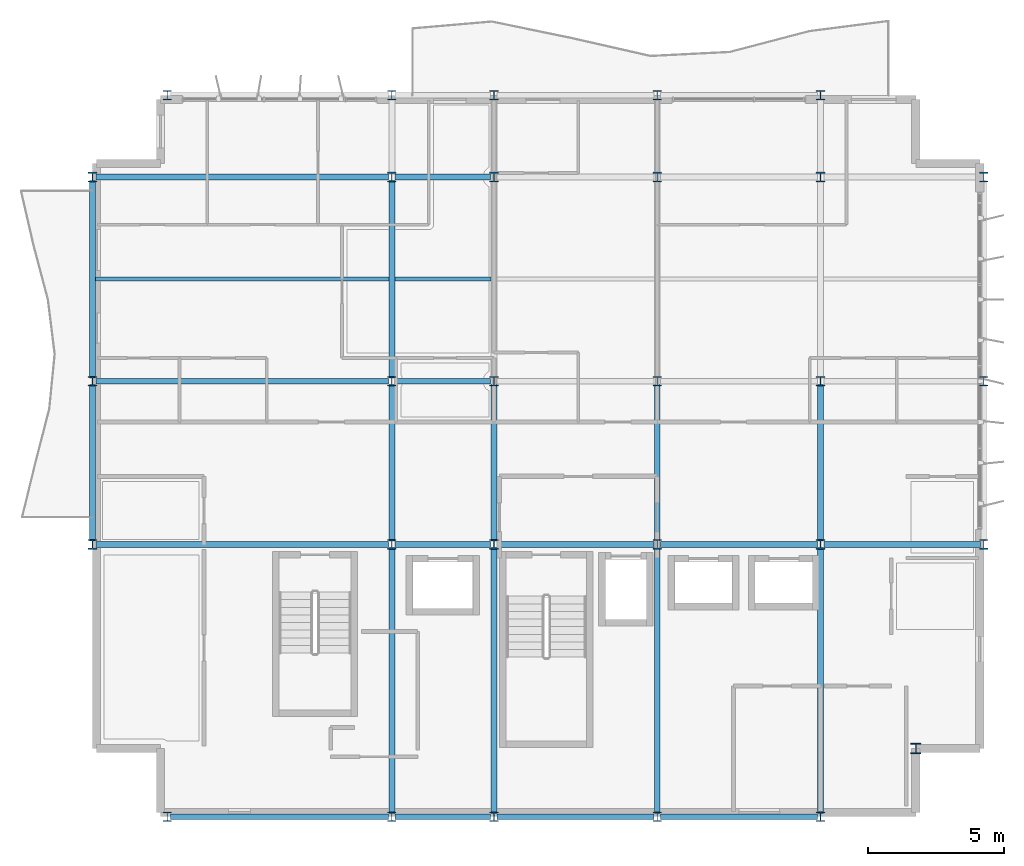
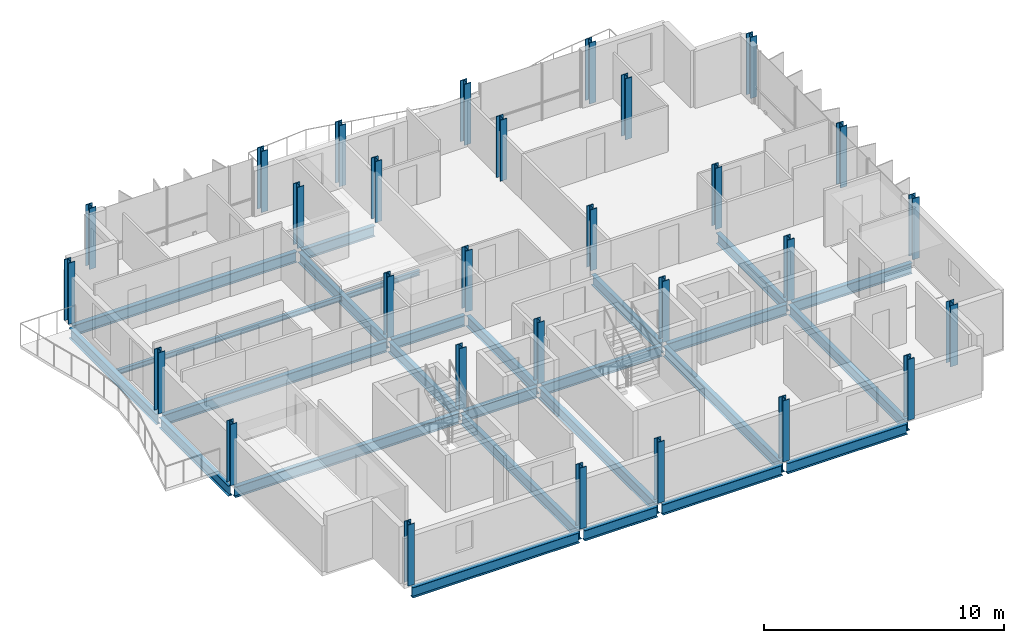
# One storey, part 1 of 13: 29 columns, 26 beams.
"""IFC4 building model written with IfcOpenShell, lengths in metres."""

from ifc_helpers import new_model, si_unit, direction, frame, origin, origin_2d, place, context, subcontext, project, spatial, i_section, extrude, material, material_profile, profile_set, type_object, element, save


model = new_model("IFC4")

# Units and contexts
model_context = context("Model", 3, precision=1e-05, world=origin(), true_north=direction((0.0, 1.0)))
body_context = subcontext(model_context, "Body", "Model", "MODEL_VIEW")
ifc_project = project(units=[si_unit("LENGTHUNIT", "METRE"), si_unit("AREAUNIT", "SQUARE_METRE"), si_unit("VOLUMEUNIT", "CUBIC_METRE"), si_unit("PLANEANGLEUNIT", "RADIAN"), si_unit("MASSUNIT", "GRAM", prefix="KILO")], contexts=[model_context])

# Site, building, storey
site_placement = place(None, origin())
site = spatial("IfcSite", under=ifc_project, at=site_placement, CompositionType="ELEMENT")
building_placement = place(site_placement, origin())
building = spatial("IfcBuilding", under=site, at=building_placement, Name="Brevholm Reach", CompositionType="ELEMENT")
storey_placement = place(building_placement, frame((0.0, 0.0, 224.199951171875)))
storey = spatial("IfcBuildingStorey", under=building, at=storey_placement, Name="L68", CompositionType="ELEMENT", Elevation=224.199951171875)

# Columns
ifc_material_1 = material(Name="Structural Steel S355J2", Category="steel")
ifc_material_profile_1 = material_profile(ifc_material_1, i_section(OverallWidth=0.374755859375, OverallDepth=0.37451171875, WebThickness=0.0166015625, FlangeThickness=0.027099609375, FilletRadius=0.01513671875, at=origin_2d()), Name="UKC 356x368x202")
ifc_profile_set_1 = profile_set([ifc_material_profile_1], Name="Structural Steel S355J2")
column_type_1 = type_object("IfcColumnType", Name="COL-UC6", PredefinedType="COLUMN", material=ifc_profile_set_1)
column_placement = place(storey_placement, frame((57.5, 2.5, 0.0), z_axis=(0.0, 0.0, 1.0), x_axis=(1.0, 0.0, 0.0)))
element("IfcColumn", 1, at=column_placement, inside=storey, type_object=column_type_1, Name="L68 Column 26", PredefinedType="COLUMN", context=body_context, shape_type="SweptSolid", body=[
    extrude(i_section(OverallWidth=0.374755859375, OverallDepth=0.37451171875, WebThickness=0.0166015625, FlangeThickness=0.027099609375, FilletRadius=0.01513671875, at=origin_2d()), origin(), (0.0, 0.0, 1.0), 3.10009765625),
])
ifc_material_2 = material(Name="Structural Steel S355J2", Category="steel")
ifc_material_profile_2 = material_profile(ifc_material_2, i_section(OverallWidth=0.318359375, OverallDepth=0.3525390625, WebThickness=0.02294921875, FlangeThickness=0.03759765625, FilletRadius=0.01513671875, at=origin_2d()), Name="UKC 305x305x240")
ifc_profile_set_2 = profile_set([ifc_material_profile_2], Name="Structural Steel S355J2")
column_type_2 = type_object("IfcColumnType", Name="COL-UC6B", PredefinedType="COLUMN", material=ifc_profile_set_2)
for number, where, z_axis, x_axis, name in (
    (2, (27.25, 10.0, 0.0), (0.0, 0.0, 1.0), (1.0, 0.0, 0.0), "L68 Column 01"),
    (3, (27.25, 16.0, 0.0), (0.0, 0.0, 1.0), (1.0, 0.0, 0.0), "L68 Column 02"),
    (4, (27.25, 23.5, 0.0), (0.0, 0.0, 1.0), (1.0, 0.0, 0.0), "L68 Column 03"),
    (5, (30.0, 0.0, 0.0), (0.0, 0.0, 1.0), (1.0, 0.0, 0.0), "L68 Column 04"),
    (6, (30.0, 26.5, 0.0), (0.0, 0.0, 1.0), (1.0, 0.0, 0.0), "L68 Column 05"),
    (7, (38.25, 0.0, 0.0), (0.0, 0.0, 1.0), (1.0, 0.0, 0.0), "L68 Column 06"),
    (8, (38.25, 10.0, 0.0), (0.0, 0.0, 1.0), (1.0, 0.0, 0.0), "L68 Column 07"),
    (9, (38.25, 16.0, 0.0), (0.0, 0.0, 1.0), (1.0, 0.0, 0.0), "L68 Column 08"),
    (10, (38.25, 23.5, 0.0), (0.0, 0.0, 1.0), (1.0, 0.0, 0.0), "L68 Column 09"),
    (11, (38.25, 26.5, 0.0), (0.0, 0.0, 1.0), (1.0, 0.0, 0.0), "L68 Column 10"),
    (12, (42.0, 0.0, 0.0), (0.0, 0.0, 1.0), (1.0, 0.0, 0.0), "L68 Column 11"),
    (13, (42.0, 10.0, 0.0), (0.0, 0.0, 1.0), (1.0, 0.0, 0.0), "L68 Column 12"),
    (14, (42.0, 16.0, 0.0), (0.0, 0.0, 1.0), (1.0, 0.0, 0.0), "L68 Column 13"),
    (15, (42.0, 23.5, 0.0), (0.0, 0.0, 1.0), (1.0, 0.0, 0.0), "L68 Column 14"),
    (16, (42.0, 26.5, 0.0), (0.0, 0.0, 1.0), (1.0, 0.0, 0.0), "L68 Column 15"),
    (17, (48.0, 0.0, 0.0), (0.0, 0.0, 1.0), (1.0, 0.0, 0.0), "L68 Column 16"),
    (18, (48.0, 10.0, 0.0), (0.0, 0.0, 1.0), (1.0, 0.0, 0.0), "L68 Column 17"),
    (19, (48.0, 16.0, 0.0), (0.0, 0.0, 1.0), (1.0, 0.0, 0.0), "L68 Column 18"),
    (20, (48.0, 23.5, 0.0), (0.0, 0.0, 1.0), (1.0, 0.0, 0.0), "L68 Column 19"),
    (21, (48.0, 26.5, 0.0), (0.0, 0.0, 1.0), (1.0, 0.0, 0.0), "L68 Column 20"),
    (22, (54.0, 0.0, 0.0), (0.0, 0.0, 1.0), (1.0, 0.0, 0.0), "L68 Column 21"),
    (23, (54.0, 10.0, 0.0), (0.0, 0.0, 1.0), (1.0, 0.0, 0.0), "L68 Column 22"),
    (24, (54.0, 16.0, 0.0), (0.0, 0.0, 1.0), (1.0, 0.0, 0.0), "L68 Column 23"),
    (25, (54.0, 23.5, 0.0), (0.0, 0.0, 1.0), (1.0, 0.0, 0.0), "L68 Column 24"),
    (26, (54.0, 26.5, 0.0), (0.0, 0.0, 1.0), (1.0, 0.0, 0.0), "L68 Column 25"),
    (27, (60.0, 10.0, 0.0), (0.0, 0.0, 1.0), (1.0, 0.0, 0.0), "L68 Column 27"),
    (28, (60.0, 16.0, 0.0), (0.0, 0.0, 1.0), (1.0, 0.0, 0.0), "L68 Column 28"),
    (29, (60.0, 23.5, 0.0), (0.0, 0.0, 1.0), (1.0, 0.0, 0.0), "L68 Column 29"),
):
    element("IfcColumn", number, at=place(storey_placement, frame(where, z_axis=z_axis, x_axis=x_axis)), inside=storey, type_object=column_type_2, Name=name, PredefinedType="COLUMN", context=body_context, shape_type="SweptSolid", body=[
        extrude(i_section(OverallWidth=0.318359375, OverallDepth=0.3525390625, WebThickness=0.02294921875, FlangeThickness=0.03759765625, FilletRadius=0.01513671875, at=origin_2d()), origin(), (0.0, 0.0, 1.0), 3.10009765625),
    ])

# Beams
ifc_material_3 = material(Name="Structural Steel S355J2", Category="steel")
ifc_material_profile_3 = material_profile(ifc_material_3, i_section(OverallWidth=0.14599609375, OverallDepth=0.25146484375, WebThickness=0.006103515625, FlangeThickness=0.008544921875, FilletRadius=0.007568359375, at=origin_2d()), Name="UKB 254x146x31")
ifc_profile_set_3 = profile_set([ifc_material_profile_3], Name="Structural Steel S355J2")
beam_type_1 = type_object("IfcBeamType", Name="BM-B254", PredefinedType="BEAM", material=ifc_profile_set_3)
beam_1_placement = place(storey_placement, frame((27.354736328125, 19.75, -0.335693359375), z_axis=(1.0, 0.0, 0.0), x_axis=(0.0, 1.0, 0.0)))
element("IfcBeam", 30, at=beam_1_placement, inside=storey, type_object=beam_type_1, Name="L68 Composite Secondary Floor Beam", PredefinedType="BEAM", context=body_context, shape_type="SweptSolid", body=[
    extrude(i_section(OverallWidth=0.14599609375, OverallDepth=0.25146484375, WebThickness=0.006103515625, FlangeThickness=0.008544921875, FilletRadius=0.007568359375, at=origin_2d()), origin(), (0.0, 0.0, 1.0), 10.789794921875),
])
beam_2_placement = place(storey_placement, frame((38.35546875, 19.75, -0.335693359375), z_axis=(1.0, 0.0, 0.0), x_axis=(0.0, 1.0, 0.0)))
element("IfcBeam", 31, at=beam_2_placement, inside=storey, type_object=beam_type_1, Name="L68 Composite Secondary Floor Beam", PredefinedType="BEAM", context=body_context, shape_type="SweptSolid", body=[
    extrude(i_section(OverallWidth=0.14599609375, OverallDepth=0.25146484375, WebThickness=0.006103515625, FlangeThickness=0.008544921875, FilletRadius=0.007568359375, at=origin_2d()), origin(), (0.0, 0.0, 1.0), 3.5390625),
])
ifc_material_4 = material(Name="Structural Steel S355J2", Category="steel")
ifc_material_profile_4 = material_profile(ifc_material_4, i_section(OverallWidth=0.209228515625, OverallDepth=0.533203125, WebThickness=0.010009765625, FlangeThickness=0.015625, FilletRadius=0.0126953125, at=origin_2d()), Name="UKB 533x210x92")
ifc_profile_set_4 = profile_set([ifc_material_profile_4], Name="Structural Steel S355J2")
beam_type_2 = type_object("IfcBeamType", Name="BM-SP533", PredefinedType="SPANDREL", material=ifc_profile_set_4)
beam_3_placement = place(storey_placement, frame((30.1201171875, 0.0, -0.4765625), z_axis=(1.0, 0.0, 0.0), x_axis=(0.0, 1.0, 0.0)))
element("IfcBeam", 32, at=beam_3_placement, inside=storey, type_object=beam_type_2, Name="L68 SP-02 Framing Beam", PredefinedType="SPANDREL", context=body_context, shape_type="SweptSolid", body=[
    extrude(i_section(OverallWidth=0.209228515625, OverallDepth=0.533203125, WebThickness=0.010009765625, FlangeThickness=0.015625, FilletRadius=0.0126953125, at=origin_2d()), origin(), (0.0, 0.0, 1.0), 8.009765625),
])
beam_4_placement = place(storey_placement, frame((38.3701171875, 0.0, -0.4765625), z_axis=(1.0, 0.0, 0.0), x_axis=(0.0, 1.0, 0.0)))
element("IfcBeam", 33, at=beam_4_placement, inside=storey, type_object=beam_type_2, Name="L68 SP-02 Framing Beam", PredefinedType="SPANDREL", context=body_context, shape_type="SweptSolid", body=[
    extrude(i_section(OverallWidth=0.209228515625, OverallDepth=0.533203125, WebThickness=0.010009765625, FlangeThickness=0.015625, FilletRadius=0.0126953125, at=origin_2d()), origin(), (0.0, 0.0, 1.0), 3.509765625),
])
for number, where, z_axis, x_axis, name in (
    (34, (42.1201171875, 0.0, -0.4765625), (1.0, 0.0, 0.0), (0.0, 1.0, 0.0), "L68 SP-02 Framing Beam"),
    (35, (48.1201171875, 0.0, -0.4765625), (1.0, 0.0, 0.0), (0.0, 1.0, 0.0), "L68 SP-02 Framing Beam"),
    (36, (27.25, 10.1201171875, -0.4765625), (0.0, 1.0, 0.0), (-1.0, 0.0, 0.0), "L68 SP-02 Framing Beam"),
):
    element("IfcBeam", number, at=place(storey_placement, frame(where, z_axis=z_axis, x_axis=x_axis)), inside=storey, type_object=beam_type_2, Name=name, PredefinedType="SPANDREL", context=body_context, shape_type="SweptSolid", body=[
        extrude(i_section(OverallWidth=0.209228515625, OverallDepth=0.533203125, WebThickness=0.010009765625, FlangeThickness=0.015625, FilletRadius=0.0126953125, at=origin_2d()), origin(), (0.0, 0.0, 1.0), 5.759765625),
    ])
beam_5_placement = place(storey_placement, frame((27.25, 16.1201171875, -0.4765625), z_axis=(0.0, 1.0, 0.0), x_axis=(-1.0, 0.0, 0.0)))
element("IfcBeam", 37, at=beam_5_placement, inside=storey, type_object=beam_type_2, Name="L68 SP-02 Framing Beam", PredefinedType="SPANDREL", context=body_context, shape_type="SweptSolid", body=[
    extrude(i_section(OverallWidth=0.209228515625, OverallDepth=0.533203125, WebThickness=0.010009765625, FlangeThickness=0.015625, FilletRadius=0.0126953125, at=origin_2d()), origin(), (0.0, 0.0, 1.0), 7.259765625),
])
ifc_material_5 = material(Name="Structural Steel S355J2", Category="steel")
ifc_material_profile_5 = material_profile(ifc_material_5, i_section(OverallWidth=0.210693359375, OverallDepth=0.53955078125, WebThickness=0.01171875, FlangeThickness=0.018798828125, FilletRadius=0.0126953125, at=origin_2d()), Name="UKB 533x210x109")
ifc_profile_set_5 = profile_set([ifc_material_profile_5], Name="Structural Steel S355J2")
beam_type_3 = type_object("IfcBeamType", Name="BM-SP539", PredefinedType="SPANDREL", material=ifc_profile_set_5)
beam_6_placement = place(storey_placement, frame((27.3701171875, 10.0, -0.479736328125), z_axis=(1.0, 0.0, 0.0), x_axis=(0.0, 1.0, 0.0)))
element("IfcBeam", 38, at=beam_6_placement, inside=storey, type_object=beam_type_3, Name="L68 SP-01B Framing Beam", PredefinedType="SPANDREL", context=body_context, shape_type="SweptSolid", body=[
    extrude(i_section(OverallWidth=0.210693359375, OverallDepth=0.53955078125, WebThickness=0.01171875, FlangeThickness=0.018798828125, FilletRadius=0.0126953125, at=origin_2d()), origin(), (0.0, 0.0, 1.0), 10.759765625),
])
beam_7_placement = place(storey_placement, frame((38.3701171875, 10.0, -0.479736328125), z_axis=(1.0, 0.0, 0.0), x_axis=(0.0, 1.0, 0.0)))
element("IfcBeam", 39, at=beam_7_placement, inside=storey, type_object=beam_type_3, Name="L68 SP-01B Framing Beam", PredefinedType="SPANDREL", context=body_context, shape_type="SweptSolid", body=[
    extrude(i_section(OverallWidth=0.210693359375, OverallDepth=0.53955078125, WebThickness=0.01171875, FlangeThickness=0.018798828125, FilletRadius=0.0126953125, at=origin_2d()), origin(), (0.0, 0.0, 1.0), 3.509765625),
])
for number, where, z_axis, x_axis, name in (
    (40, (42.1201171875, 10.0, -0.479736328125), (1.0, 0.0, 0.0), (0.0, 1.0, 0.0), "L68 SP-01B Framing Beam"),
    (41, (48.1201171875, 10.0, -0.479736328125), (1.0, 0.0, 0.0), (0.0, 1.0, 0.0), "L68 SP-01B Framing Beam"),
    (42, (54.1201171875, 10.0, -0.479736328125), (1.0, 0.0, 0.0), (0.0, 1.0, 0.0), "L68 SP-01B Framing Beam"),
):
    element("IfcBeam", number, at=place(storey_placement, frame(where, z_axis=z_axis, x_axis=x_axis)), inside=storey, type_object=beam_type_3, Name=name, PredefinedType="SPANDREL", context=body_context, shape_type="SweptSolid", body=[
        extrude(i_section(OverallWidth=0.210693359375, OverallDepth=0.53955078125, WebThickness=0.01171875, FlangeThickness=0.018798828125, FilletRadius=0.0126953125, at=origin_2d()), origin(), (0.0, 0.0, 1.0), 5.759765625),
    ])
beam_8_placement = place(storey_placement, frame((27.3701171875, 16.0, -0.479736328125), z_axis=(1.0, 0.0, 0.0), x_axis=(0.0, 1.0, 0.0)))
element("IfcBeam", 43, at=beam_8_placement, inside=storey, type_object=beam_type_3, Name="L68 SP-01B Framing Beam", PredefinedType="SPANDREL", context=body_context, shape_type="SweptSolid", body=[
    extrude(i_section(OverallWidth=0.210693359375, OverallDepth=0.53955078125, WebThickness=0.01171875, FlangeThickness=0.018798828125, FilletRadius=0.0126953125, at=origin_2d()), origin(), (0.0, 0.0, 1.0), 10.759765625),
])
beam_9_placement = place(storey_placement, frame((38.3701171875, 16.0, -0.479736328125), z_axis=(1.0, 0.0, 0.0), x_axis=(0.0, 1.0, 0.0)))
element("IfcBeam", 44, at=beam_9_placement, inside=storey, type_object=beam_type_3, Name="L68 SP-01B Framing Beam", PredefinedType="SPANDREL", context=body_context, shape_type="SweptSolid", body=[
    extrude(i_section(OverallWidth=0.210693359375, OverallDepth=0.53955078125, WebThickness=0.01171875, FlangeThickness=0.018798828125, FilletRadius=0.0126953125, at=origin_2d()), origin(), (0.0, 0.0, 1.0), 3.509765625),
])
beam_10_placement = place(storey_placement, frame((27.3701171875, 23.5, -0.479736328125), z_axis=(1.0, 0.0, 0.0), x_axis=(0.0, 1.0, 0.0)))
element("IfcBeam", 45, at=beam_10_placement, inside=storey, type_object=beam_type_3, Name="L68 SP-01B Framing Beam", PredefinedType="SPANDREL", context=body_context, shape_type="SweptSolid", body=[
    extrude(i_section(OverallWidth=0.210693359375, OverallDepth=0.53955078125, WebThickness=0.01171875, FlangeThickness=0.018798828125, FilletRadius=0.0126953125, at=origin_2d()), origin(), (0.0, 0.0, 1.0), 10.759765625),
])
beam_11_placement = place(storey_placement, frame((38.3701171875, 23.5, -0.479736328125), z_axis=(1.0, 0.0, 0.0), x_axis=(0.0, 1.0, 0.0)))
element("IfcBeam", 46, at=beam_11_placement, inside=storey, type_object=beam_type_3, Name="L68 SP-01B Framing Beam", PredefinedType="SPANDREL", context=body_context, shape_type="SweptSolid", body=[
    extrude(i_section(OverallWidth=0.210693359375, OverallDepth=0.53955078125, WebThickness=0.01171875, FlangeThickness=0.018798828125, FilletRadius=0.0126953125, at=origin_2d()), origin(), (0.0, 0.0, 1.0), 3.509765625),
])
beam_12_placement = place(storey_placement, frame((38.25, 0.1201171875, -0.479736328125), z_axis=(0.0, 1.0, 0.0), x_axis=(-1.0, 0.0, 0.0)))
element("IfcBeam", 47, at=beam_12_placement, inside=storey, type_object=beam_type_3, Name="L68 SP-01B Framing Beam", PredefinedType="SPANDREL", context=body_context, shape_type="SweptSolid", body=[
    extrude(i_section(OverallWidth=0.210693359375, OverallDepth=0.53955078125, WebThickness=0.01171875, FlangeThickness=0.018798828125, FilletRadius=0.0126953125, at=origin_2d()), origin(), (0.0, 0.0, 1.0), 9.759765625),
])
beam_13_placement = place(storey_placement, frame((38.25, 10.1201171875, -0.479736328125), z_axis=(0.0, 1.0, 0.0), x_axis=(-1.0, 0.0, 0.0)))
element("IfcBeam", 48, at=beam_13_placement, inside=storey, type_object=beam_type_3, Name="L68 SP-01B Framing Beam", PredefinedType="SPANDREL", context=body_context, shape_type="SweptSolid", body=[
    extrude(i_section(OverallWidth=0.210693359375, OverallDepth=0.53955078125, WebThickness=0.01171875, FlangeThickness=0.018798828125, FilletRadius=0.0126953125, at=origin_2d()), origin(), (0.0, 0.0, 1.0), 5.759765625),
])
beam_14_placement = place(storey_placement, frame((38.25, 16.1201171875, -0.479736328125), z_axis=(0.0, 1.0, 0.0), x_axis=(-1.0, 0.0, 0.0)))
element("IfcBeam", 49, at=beam_14_placement, inside=storey, type_object=beam_type_3, Name="L68 SP-01B Framing Beam", PredefinedType="SPANDREL", context=body_context, shape_type="SweptSolid", body=[
    extrude(i_section(OverallWidth=0.210693359375, OverallDepth=0.53955078125, WebThickness=0.01171875, FlangeThickness=0.018798828125, FilletRadius=0.0126953125, at=origin_2d()), origin(), (0.0, 0.0, 1.0), 7.259765625),
])
beam_15_placement = place(storey_placement, frame((42.0, 0.1201171875, -0.479736328125), z_axis=(0.0, 1.0, 0.0), x_axis=(-1.0, 0.0, 0.0)))
element("IfcBeam", 50, at=beam_15_placement, inside=storey, type_object=beam_type_3, Name="L68 SP-01B Framing Beam", PredefinedType="SPANDREL", context=body_context, shape_type="SweptSolid", body=[
    extrude(i_section(OverallWidth=0.210693359375, OverallDepth=0.53955078125, WebThickness=0.01171875, FlangeThickness=0.018798828125, FilletRadius=0.0126953125, at=origin_2d()), origin(), (0.0, 0.0, 1.0), 9.759765625),
])
beam_16_placement = place(storey_placement, frame((42.0, 10.1201171875, -0.479736328125), z_axis=(0.0, 1.0, 0.0), x_axis=(-1.0, 0.0, 0.0)))
element("IfcBeam", 51, at=beam_16_placement, inside=storey, type_object=beam_type_3, Name="L68 SP-01B Framing Beam", PredefinedType="SPANDREL", context=body_context, shape_type="SweptSolid", body=[
    extrude(i_section(OverallWidth=0.210693359375, OverallDepth=0.53955078125, WebThickness=0.01171875, FlangeThickness=0.018798828125, FilletRadius=0.0126953125, at=origin_2d()), origin(), (0.0, 0.0, 1.0), 5.759765625),
])
beam_17_placement = place(storey_placement, frame((48.0, 0.1201171875, -0.479736328125), z_axis=(0.0, 1.0, 0.0), x_axis=(-1.0, 0.0, 0.0)))
element("IfcBeam", 52, at=beam_17_placement, inside=storey, type_object=beam_type_3, Name="L68 SP-01B Framing Beam", PredefinedType="SPANDREL", context=body_context, shape_type="SweptSolid", body=[
    extrude(i_section(OverallWidth=0.210693359375, OverallDepth=0.53955078125, WebThickness=0.01171875, FlangeThickness=0.018798828125, FilletRadius=0.0126953125, at=origin_2d()), origin(), (0.0, 0.0, 1.0), 9.759765625),
])
beam_18_placement = place(storey_placement, frame((48.0, 10.1201171875, -0.479736328125), z_axis=(0.0, 1.0, 0.0), x_axis=(-1.0, 0.0, 0.0)))
element("IfcBeam", 53, at=beam_18_placement, inside=storey, type_object=beam_type_3, Name="L68 SP-01B Framing Beam", PredefinedType="SPANDREL", context=body_context, shape_type="SweptSolid", body=[
    extrude(i_section(OverallWidth=0.210693359375, OverallDepth=0.53955078125, WebThickness=0.01171875, FlangeThickness=0.018798828125, FilletRadius=0.0126953125, at=origin_2d()), origin(), (0.0, 0.0, 1.0), 5.759765625),
])
beam_19_placement = place(storey_placement, frame((54.0, 0.1201171875, -0.479736328125), z_axis=(0.0, 1.0, 0.0), x_axis=(-1.0, 0.0, 0.0)))
element("IfcBeam", 54, at=beam_19_placement, inside=storey, type_object=beam_type_3, Name="L68 SP-01B Framing Beam", PredefinedType="SPANDREL", context=body_context, shape_type="SweptSolid", body=[
    extrude(i_section(OverallWidth=0.210693359375, OverallDepth=0.53955078125, WebThickness=0.01171875, FlangeThickness=0.018798828125, FilletRadius=0.0126953125, at=origin_2d()), origin(), (0.0, 0.0, 1.0), 9.759765625),
])
beam_20_placement = place(storey_placement, frame((54.0, 10.1201171875, -0.479736328125), z_axis=(0.0, 1.0, 0.0), x_axis=(-1.0, 0.0, 0.0)))
element("IfcBeam", 55, at=beam_20_placement, inside=storey, type_object=beam_type_3, Name="L68 SP-01B Framing Beam", PredefinedType="SPANDREL", context=body_context, shape_type="SweptSolid", body=[
    extrude(i_section(OverallWidth=0.210693359375, OverallDepth=0.53955078125, WebThickness=0.01171875, FlangeThickness=0.018798828125, FilletRadius=0.0126953125, at=origin_2d()), origin(), (0.0, 0.0, 1.0), 5.759765625),
])

save(model, "model.ifc")
